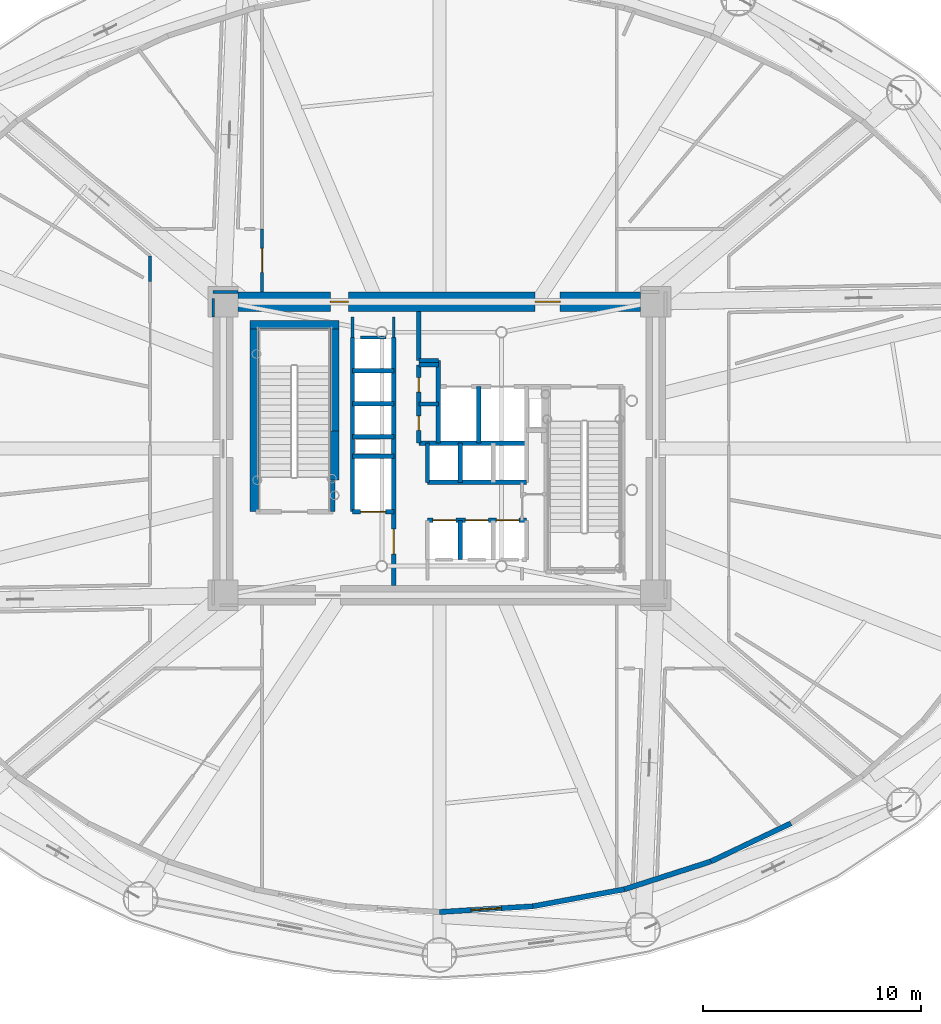
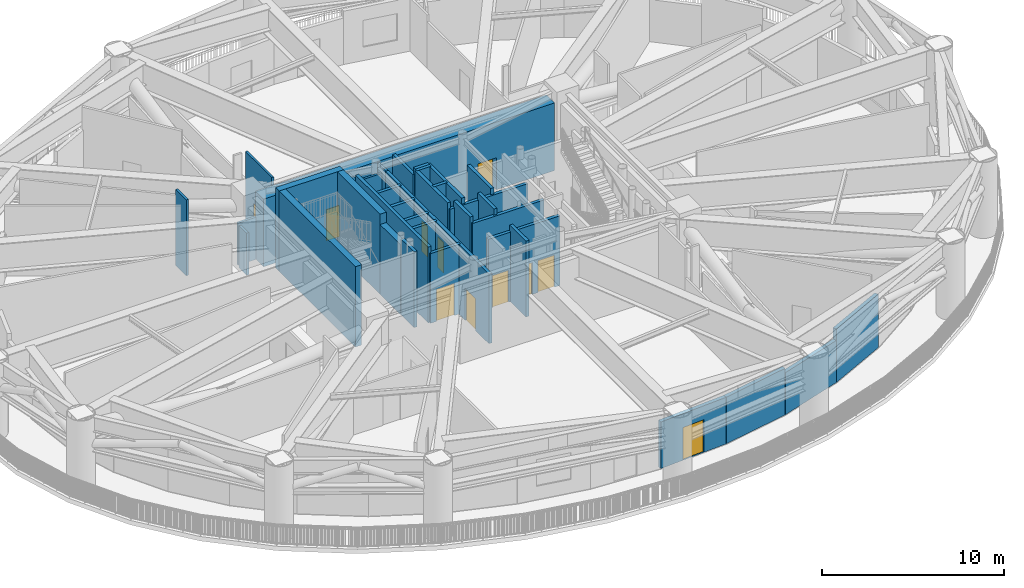
# One storey, part 12 of 22: 37 walls, 11 doors, 11 openings.
"""IFC4 building model written with IfcOpenShell, lengths in metres."""

from ifc_helpers import new_model, si_unit, direction, frame, frame_2d, origin, origin_2d, place, context, subcontext, project, spatial, rectangle, extrude, source, transform, mapped, material, layer, layer_set, type_object, element, fill, save


model = new_model("IFC4")

# Units and contexts
model_context = context("Model", 3, precision=1e-05, world=origin(), true_north=direction((0.0, 1.0)))
body_context = subcontext(model_context, "Body", "Model", "MODEL_VIEW")
ifc_project = project(units=[si_unit("LENGTHUNIT", "METRE"), si_unit("AREAUNIT", "SQUARE_METRE"), si_unit("VOLUMEUNIT", "CUBIC_METRE"), si_unit("PLANEANGLEUNIT", "RADIAN"), si_unit("MASSUNIT", "GRAM", prefix="KILO")], contexts=[model_context])

# Site, building, storey
site_placement = place(None, origin())
site = spatial("IfcSite", under=ifc_project, at=site_placement, CompositionType="ELEMENT")
building_placement = place(site_placement, origin())
building = spatial("IfcBuilding", under=site, at=building_placement, Name="Linh Dai School and Residence Tower", CompositionType="ELEMENT")
storey_placement = place(building_placement, frame((0.0, 0.0, 87.0)))
storey = spatial("IfcBuildingStorey", under=building, at=storey_placement, Name="L20", CompositionType="ELEMENT", Elevation=87.0)

# Wall, opening, door
ifc_material_1 = material(Name="Precast Concrete B45 (C35/45)", Category="concrete")
ifc_layer_1 = layer(ifc_material_1, 0.239990234375)
ifc_layer_set_1 = layer_set([ifc_layer_1], Name="Precast Concrete B45 (C35/45)")
wall_type_1 = type_object("IfcWallType", Name="EW-TC-240", PredefinedType="SOLIDWALL", material=ifc_layer_set_1)
wall_1_placement = place(storey_placement, frame((40.30224609375, 5.9580078125, 0.0), z_axis=(0.0, 0.0, 1.0), x_axis=(-0.998137585079, -0.061002961022, 0.0)))
wall_1 = element("IfcWall", 1, at=wall_1_placement, inside=storey, type_object=wall_type_1, Name="L20 Terracotta Exterior Wall 31", PredefinedType="SOLIDWALL", context=body_context, shape_type="SweptSolid", body=[
    extrude(rectangle(XDim=4.310302734375, YDim=0.239990234375, at=frame_2d((2.1552734375, 0.0))), origin(), (0.0, 0.0, 1.0), 3.135009765625),
])
opening_1_placement = place(wall_1_placement, frame((1.455078125, 0.0, 0.0)))
opening_1 = element("IfcOpeningElement", 2, at=opening_1_placement, cuts=wall_1, Name="Opening DD1", PredefinedType="OPENING", context=body_context, shape_type="SweptSolid", body=[
    extrude(rectangle(XDim=1.39990234375, YDim=2.199951171875, at=origin_2d()), frame((0.699951171875, 0.1298828125, 1.10009765625), z_axis=(0.0, -1.0, 0.0), x_axis=(1.0, 0.0, 0.0)), (0.0, 0.0, 1.0), 0.260009765625),
])
ifc_material_2 = material(Name="Glazed Aluminium Terrace Door", Category="aluminium")
door_type_1 = type_object("IfcDoorType", Name="DR-DECK-1400x2200", OperationType="NOTDEFINED", PredefinedType="DOOR", material=ifc_material_2)
shared_shape_1 = source(origin(), body_context, "Body", "SweptSolid", [
    extrude(rectangle(XDim=1.39990234375, YDim=2.199951171875, at=origin_2d()), frame((0.699951171875, 0.02490234375, 1.10009765625), z_axis=(0.0, -1.0, 0.0), x_axis=(1.0, 0.0, 0.0)), (0.0, 0.0, 1.0), 0.050048828125),
])
door_1_placement = place(opening_1_placement, origin())
door_1 = element("IfcDoor", 3, at=door_1_placement, inside=storey, type_object=door_type_1, Name="L20 Outdoor Terrace Access Door 31", OperationType="SINGLE_SWING_LEFT", OverallHeight=2.199951171875, OverallWidth=1.39990234375, PredefinedType="DOOR", context=body_context, shape_type="MappedRepresentation", body=[
    mapped(shared_shape_1, transform((0.0, 0.0, 0.0), x_axis=(1.0, 0.0, 0.0), y_axis=(0.0, 1.0, 0.0), z_axis=(0.0, 0.0, 1.0), scale=1.0)),
])
fill(opening_1, door_1)

# Walls
wall_2_placement = place(storey_placement, frame((44.498291015625, 6.739990234375, 0.0), z_axis=(0.0, 0.0, 1.0), x_axis=(-0.983074270231, -0.183207475857, 0.0)))
element("IfcWall", 4, at=wall_2_placement, inside=storey, type_object=wall_type_1, Name="L20 Terracotta Exterior Wall 32", PredefinedType="SOLIDWALL", context=body_context, shape_type="SweptSolid", body=[
    extrude(rectangle(XDim=4.268310546875, YDim=0.239990234375, at=frame_2d((2.13427734375, 0.0))), origin(), (0.0, 0.0, 1.0), 3.135009765625),
])
wall_3_placement = place(storey_placement, frame((48.484130859375, 8.02197265625, 0.0), z_axis=(0.0, 0.0, 1.0), x_axis=(-0.951971515403, -0.306186599742, 0.0)))
element("IfcWall", 5, at=wall_3_placement, inside=storey, type_object=wall_type_1, Name="L20 Terracotta Exterior Wall 33", PredefinedType="SOLIDWALL", context=body_context, shape_type="SweptSolid", body=[
    extrude(rectangle(XDim=4.18701171875, YDim=0.239990234375, at=frame_2d((2.093505859375, 0.0))), origin(), (0.0, 0.0, 1.0), 2.83203125),
])
wall_4_placement = place(storey_placement, frame((52.161376953125, 9.771728515625, 0.0), z_axis=(0.0, 0.0, 1.0), x_axis=(-0.902985702175, -0.429670596699, 0.0)))
element("IfcWall", 6, at=wall_4_placement, inside=storey, type_object=wall_type_1, Name="L20 Terracotta Exterior Wall 34", PredefinedType="SOLIDWALL", context=body_context, shape_type="SweptSolid", body=[
    extrude(rectangle(XDim=4.072265625, YDim=0.239990234375, at=frame_2d((2.0361328125, 0.0))), origin(), (0.0, 0.0, 1.0), 3.5849609375),
])

# Wall, opening, door
ifc_material_3 = material(Name="Autoclaved Aerated Concrete Blockwork", Category="masonry")
ifc_layer_2 = layer(ifc_material_3, 0.135009765625)
ifc_layer_set_2 = layer_set([ifc_layer_2], Name="Autoclaved Aerated Concrete Blockwork")
wall_type_2 = type_object("IfcWallType", Name="IW-CORR-135-EI90", PredefinedType="PARTITIONING", material=ifc_layer_set_2)
wall_5_placement = place(storey_placement, frame((27.85009765625, 34.199951171875, 0.0), z_axis=(0.0, 0.0, 1.0), x_axis=(0.0, 1.0, 0.0)))
wall_5 = element("IfcWall", 7, at=wall_5_placement, inside=storey, type_object=wall_type_2, Name="L20 Interior Partition Wall 014", PredefinedType="PARTITIONING", context=body_context, shape_type="SweptSolid", body=[
    extrude(rectangle(XDim=2.900146484375, YDim=0.135009765625, at=frame_2d((1.4501953125, 0.0))), origin(), (0.0, 0.0, 1.0), 5.10009765625),
])
opening_2_placement = place(wall_5_placement, frame((0.89990234375, 0.0, 0.0)))
opening_2 = element("IfcOpeningElement", 8, at=opening_2_placement, cuts=wall_5, Name="Opening D07", PredefinedType="OPENING", context=body_context, shape_type="SweptSolid", body=[
    extrude(rectangle(XDim=1.10009765625, YDim=2.14990234375, at=origin_2d()), frame((0.550048828125, 0.07763671875, 1.074951171875), z_axis=(0.0, -1.0, 0.0), x_axis=(1.0, 0.0, 0.0)), (0.0, 0.0, 1.0), 0.155029296875),
])
ifc_material_4 = material(Name="Fire-Rated Louvred Steel Plant Door", Category="steel")
door_type_2 = type_object("IfcDoorType", Name="DR-PLT-1100x2150-FD60S", OperationType="NOTDEFINED", PredefinedType="DOOR", material=ifc_material_4)
shared_shape_2 = source(origin(), body_context, "Body", "SweptSolid", [
    extrude(rectangle(XDim=1.10009765625, YDim=2.14990234375, at=origin_2d()), frame((0.550048828125, 0.02490234375, 1.074951171875), z_axis=(0.0, -1.0, 0.0), x_axis=(1.0, 0.0, 0.0)), (0.0, 0.0, 1.0), 0.050048828125),
])
door_2_placement = place(opening_2_placement, origin())
door_2 = element("IfcDoor", 9, at=door_2_placement, inside=storey, type_object=door_type_2, Name="L20 Pressurised Fire Refuge Area North Corridor Door", OperationType="SINGLE_SWING_RIGHT", OverallHeight=2.14990234375, OverallWidth=1.10009765625, PredefinedType="DOOR", context=body_context, shape_type="MappedRepresentation", body=[
    mapped(shared_shape_2, transform((0.0, 0.0, 0.0), x_axis=(1.0, 0.0, 0.0), y_axis=(0.0, 1.0, 0.0), z_axis=(0.0, 0.0, 1.0), scale=1.0)),
])
fill(opening_2, door_2)

# Walls
wall_6_placement = place(storey_placement, frame((32.360107421875, 32.10009765625, 0.0), z_axis=(0.0, 0.0, 1.0), x_axis=(1.0, 0.0, 0.0)))
element("IfcWall", 10, at=wall_6_placement, inside=storey, type_object=wall_type_2, Name="L20 Interior Partition Wall 063", PredefinedType="PARTITIONING", context=body_context, shape_type="SweptSolid", body=[
    extrude(rectangle(XDim=1.179931640625, YDim=0.135009765625, at=frame_2d((0.58984375, 0.0))), origin(), (0.0, 0.0, 1.0), 4.68505859375),
])
wall_7_placement = place(storey_placement, frame((32.0, 33.0400390625, 0.0), z_axis=(0.0, 0.0, 1.0), x_axis=(0.0, -1.0, 0.0)))
element("IfcWall", 11, at=wall_7_placement, inside=storey, type_object=wall_type_2, Name="L20 Interior Partition Wall 065", PredefinedType="PARTITIONING", context=body_context, shape_type="SweptSolid", body=[
    extrude(rectangle(XDim=0.929931640625, YDim=0.135009765625, at=frame_2d((0.46484375, 0.0))), origin(), (0.0, 0.0, 1.0), 4.635009765625),
])
wall_8_placement = place(storey_placement, frame((33.89990234375, 32.110107421875, 0.0), z_axis=(0.0, 0.0, 1.0), x_axis=(0.0, 1.0, 0.0)))
element("IfcWall", 12, at=wall_8_placement, inside=storey, type_object=wall_type_2, Name="L20 Interior Partition Wall 068", PredefinedType="PARTITIONING", context=body_context, shape_type="SweptSolid", body=[
    extrude(rectangle(XDim=0.929931640625, YDim=0.135009765625, at=frame_2d((0.46484375, 0.0))), origin(), (0.0, 0.0, 1.0), 4.68505859375),
])
wall_9_placement = place(storey_placement, frame((22.699951171875, 34.688720703125, 0.0), z_axis=(0.0, 0.0, 1.0), x_axis=(0.0, 1.0, 0.0)))
element("IfcWall", 13, at=wall_9_placement, inside=storey, type_object=wall_type_2, Name="L20 Interior Partition Wall 072", PredefinedType="PARTITIONING", context=body_context, shape_type="SweptSolid", body=[
    extrude(rectangle(XDim=1.167724609375, YDim=0.135009765625, at=frame_2d((0.583984375, 0.0))), origin(), (0.0, 0.0, 1.0), 5.10009765625),
])
wall_10_placement = place(storey_placement, frame((26.739990234375, 34.199951171875, 0.0), z_axis=(0.0, 0.0, 1.0), x_axis=(-1.0, 0.0, 0.0)))
element("IfcWall", 14, at=wall_10_placement, inside=storey, type_object=wall_type_2, Name="L20 Interior Partition Wall 076", PredefinedType="PARTITIONING", context=body_context, shape_type="SweptSolid", body=[
    extrude(rectangle(XDim=1.139892578125, YDim=0.135009765625, at=frame_2d((0.56982421875, 0.0))), origin(), (0.0, 0.0, 1.0), 2.83203125),
])
wall_11_placement = place(storey_placement, frame((25.60009765625, 33.892578125, 0.0), z_axis=(0.0, 0.0, 1.0), x_axis=(0.0, -1.0, 0.0)))
element("IfcWall", 15, at=wall_11_placement, inside=storey, type_object=wall_type_2, Name="L20 Interior Partition Wall 077", PredefinedType="PARTITIONING", context=body_context, shape_type="SweptSolid", body=[
    extrude(rectangle(XDim=0.83251953125, YDim=0.135009765625, at=frame_2d((0.416259765625, 0.0))), origin(), (0.0, 0.0, 1.0), 2.83203125),
])
ifc_material_5 = material(Name="Concrete B45 (C35/45)", Category="concrete")
ifc_layer_3 = layer(ifc_material_5, 0.199951171875)
ifc_layer_set_3 = layer_set([ifc_layer_3], Name="Concrete B45 (C35/45)")
wall_type_3 = type_object("IfcWallType", Name="IW-SHAFT-200-EI120", PredefinedType="PARTITIONING", material=ifc_layer_set_3)
wall_12_placement = place(storey_placement, frame((31.10009765625, 24.10009765625, 0.0), z_axis=(0.0, 0.0, 1.0), x_axis=(0.0, 1.0, 0.0)))
element("IfcWall", 16, at=wall_12_placement, inside=storey, type_object=wall_type_3, Name="L20 Interior Partition Wall 015", PredefinedType="PARTITIONING", context=body_context, shape_type="SweptSolid", body=[
    extrude(rectangle(XDim=1.43994140625, YDim=0.199951171875, at=frame_2d((0.719970703125, 0.0))), origin(), (0.0, 0.0, 1.0), 5.10009765625),
])
wall_13_placement = place(storey_placement, frame((32.0, 24.10009765625, 0.0), z_axis=(0.0, 0.0, 1.0), x_axis=(0.0, 1.0, 0.0)))
element("IfcWall", 17, at=wall_13_placement, inside=storey, type_object=wall_type_3, Name="L20 Interior Partition Wall 016", PredefinedType="PARTITIONING", context=body_context, shape_type="SweptSolid", body=[
    extrude(rectangle(XDim=8.0, YDim=0.199951171875, at=frame_2d((4.0, 0.0))), origin(), (0.0, 0.0, 1.0), 5.10009765625),
])

# Wall, opening, door
wall_14_placement = place(storey_placement, frame((32.0, 24.10009765625, 0.0), z_axis=(0.0, 0.0, 1.0), x_axis=(1.0, 0.0, 0.0)))
wall_14 = element("IfcWall", 18, at=wall_14_placement, inside=storey, type_object=wall_type_3, Name="L20 Interior Partition Wall 017", PredefinedType="PARTITIONING", context=body_context, shape_type="SweptSolid", body=[
    extrude(rectangle(XDim=1.89990234375, YDim=0.199951171875, at=frame_2d((0.949951171875, 0.0))), origin(), (0.0, 0.0, 1.0), 4.68505859375),
])
opening_3_placement = place(wall_14_placement, frame((0.375, 0.0, 0.0)))
opening_3 = element("IfcOpeningElement", 19, at=opening_3_placement, cuts=wall_14, Name="Opening LD-FF2", PredefinedType="OPENING", context=body_context, shape_type="SweptSolid", body=[
    extrude(rectangle(XDim=1.14990234375, YDim=2.14990234375, at=origin_2d()), frame((0.574951171875, 0.10986328125, 1.074951171875), z_axis=(0.0, -1.0, 0.0), x_axis=(1.0, 0.0, 0.0)), (0.0, 0.0, 1.0), 0.219970703125),
])
ifc_material_6 = material(Name="Fire-Rated Stainless Steel Firefighting Lift Door", Category="steel")
door_type_3 = type_object("IfcDoorType", Name="DR-LD-FF-1150x2150-FD120", OperationType="DOUBLE_DOOR_SLIDING", PredefinedType="USERDEFINED", material=ifc_material_6)
shared_shape_3 = source(origin(), body_context, "Body", "SweptSolid", [
    extrude(rectangle(XDim=1.14990234375, YDim=2.14990234375, at=origin_2d()), frame((0.574951171875, 0.02490234375, 1.074951171875), z_axis=(0.0, -1.0, 0.0), x_axis=(1.0, 0.0, 0.0)), (0.0, 0.0, 1.0), 0.050048828125),
])
door_3_placement = place(opening_3_placement, origin())
door_3 = element("IfcDoor", 20, at=door_3_placement, inside=storey, type_object=door_type_3, Name="L20 Lift FF2 Sliding Landing Door", ObjectType="LANDING DOOR", OperationType="DOUBLE_DOOR_SLIDING", OverallHeight=2.14990234375, OverallWidth=1.14990234375, PredefinedType="USERDEFINED", context=body_context, shape_type="MappedRepresentation", body=[
    mapped(shared_shape_3, transform((0.0, 0.0, 0.0), x_axis=(1.0, 0.0, 0.0), y_axis=(0.0, 1.0, 0.0), z_axis=(0.0, 0.0, 1.0), scale=1.0)),
])
fill(opening_3, door_3)

# Walls
for number, where, z_axis, x_axis, name in (
    (21, (32.0, 26.64990234375, 0.0), (0.0, 0.0, 1.0), (1.0, 0.0, 0.0), "L20 Interior Partition Wall 018"),
    (22, (32.0, 27.550048828125, 0.0), (0.0, 0.0, 1.0), (1.0, 0.0, 0.0), "L20 Interior Partition Wall 019"),
    (23, (32.0, 29.06005859375, 0.0), (0.0, 0.0, 1.0), (1.0, 0.0, 0.0), "L20 Interior Partition Wall 020"),
    (24, (32.0, 30.580078125, 0.0), (0.0, 0.0, 1.0), (1.0, 0.0, 0.0), "L20 Interior Partition Wall 021"),
):
    element("IfcWall", number, at=place(storey_placement, frame(where, z_axis=z_axis, x_axis=x_axis)), inside=storey, type_object=wall_type_3, Name=name, PredefinedType="PARTITIONING", context=body_context, shape_type="SweptSolid", body=[
        extrude(rectangle(XDim=1.89990234375, YDim=0.199951171875, at=frame_2d((0.949951171875, 0.0))), origin(), (0.0, 0.0, 1.0), 4.68505859375),
    ])

# Wall, opening, door
wall_15_placement = place(storey_placement, frame((33.89990234375, 20.699951171875, 0.0), z_axis=(0.0, 0.0, 1.0), x_axis=(0.0, 1.0, 0.0)))
wall_15 = element("IfcWall", 25, at=wall_15_placement, inside=storey, type_object=wall_type_3, Name="L20 Interior Partition Wall 022", PredefinedType="PARTITIONING", context=body_context, shape_type="SweptSolid", body=[
    extrude(rectangle(XDim=11.400146484375, YDim=0.199951171875, at=frame_2d((5.7001953125, 0.0))), origin(), (0.0, 0.0, 1.0), 4.68505859375),
])
opening_4_placement = place(wall_15_placement, frame((1.452392578125, 0.0, 0.0)))
opening_4 = element("IfcOpeningElement", 26, at=opening_4_placement, cuts=wall_15, Name="Opening D02", PredefinedType="OPENING", context=body_context, shape_type="SweptSolid", body=[
    extrude(rectangle(XDim=1.14990234375, YDim=2.14990234375, at=origin_2d()), frame((0.574951171875, 0.10986328125, 1.074951171875), z_axis=(0.0, -1.0, 0.0), x_axis=(1.0, 0.0, 0.0)), (0.0, 0.0, 1.0), 0.219970703125),
])
ifc_material_7 = material(Name="Fire-Rated Glazed Steel Lobby Door", Category="steel")
door_type_4 = type_object("IfcDoorType", Name="DR-LOBBY-1150x2150-FD90S", OperationType="NOTDEFINED", PredefinedType="DOOR", material=ifc_material_7)
shared_shape_4 = source(origin(), body_context, "Body", "SweptSolid", [
    extrude(rectangle(XDim=1.14990234375, YDim=2.14990234375, at=origin_2d()), frame((0.574951171875, 0.02490234375, 1.074951171875), z_axis=(0.0, -1.0, 0.0), x_axis=(1.0, 0.0, 0.0)), (0.0, 0.0, 1.0), 0.050048828125),
])
door_4_placement = place(opening_4_placement, origin())
door_4 = element("IfcDoor", 27, at=door_4_placement, inside=storey, type_object=door_type_4, Name="L20 Passenger Foyer Access Door", OperationType="SINGLE_SWING_RIGHT", OverallHeight=2.14990234375, OverallWidth=1.14990234375, PredefinedType="DOOR", context=body_context, shape_type="MappedRepresentation", body=[
    mapped(shared_shape_4, transform((0.0, 0.0, 0.0), x_axis=(1.0, 0.0, 0.0), y_axis=(0.0, 1.0, 0.0), z_axis=(0.0, 0.0, 1.0), scale=1.0)),
])
fill(opening_4, door_4)

# Wall, openings, doors
wall_16_placement = place(storey_placement, frame((35.050048828125, 27.25, 0.0), z_axis=(0.0, 0.0, 1.0), x_axis=(0.0, 1.0, 0.0)))
wall_16 = element("IfcWall", 28, at=wall_16_placement, inside=storey, type_object=wall_type_3, Name="L20 Interior Partition Wall 023", PredefinedType="PARTITIONING", context=body_context, shape_type="SweptSolid", body=[
    extrude(rectangle(XDim=3.60009765625, YDim=0.199951171875, at=frame_2d((1.800048828125, 0.0))), origin(), (0.0, 0.0, 1.0), 5.10009765625),
])
opening_5_placement = place(wall_16_placement, frame((0.590087890625, 0.0, 0.0)))
opening_5 = element("IfcOpeningElement", 29, at=opening_5_placement, cuts=wall_16, Name="Opening AD1", PredefinedType="OPENING", context=body_context, shape_type="SweptSolid", body=[
    extrude(rectangle(XDim=0.659912109375, YDim=2.050048828125, at=origin_2d()), frame((0.330078125, 0.10986328125, 1.02490234375), z_axis=(0.0, -1.0, 0.0), x_axis=(1.0, 0.0, 0.0)), (0.0, 0.0, 1.0), 0.219970703125),
])
opening_6_placement = place(wall_16_placement, frame((2.35009765625, 0.0, 0.0)))
opening_6 = element("IfcOpeningElement", 30, at=opening_6_placement, cuts=wall_16, Name="Opening AD1", PredefinedType="OPENING", context=body_context, shape_type="SweptSolid", body=[
    extrude(rectangle(XDim=0.659912109375, YDim=2.050048828125, at=origin_2d()), frame((0.330078125, 0.10986328125, 1.02490234375), z_axis=(0.0, -1.0, 0.0), x_axis=(1.0, 0.0, 0.0)), (0.0, 0.0, 1.0), 0.219970703125),
])
ifc_material_8 = material(Name="Fire-Rated Steel Riser Access Door", Category="steel")
door_type_5 = type_object("IfcDoorType", Name="DR-ACC-660x2050-FD90S", OperationType="NOTDEFINED", PredefinedType="USERDEFINED", material=ifc_material_8)
shared_shape_5 = source(origin(), body_context, "Body", "SweptSolid", [
    extrude(rectangle(XDim=0.659912109375, YDim=2.050048828125, at=origin_2d()), frame((0.330078125, 0.02490234375, 1.02490234375), z_axis=(0.0, -1.0, 0.0), x_axis=(1.0, 0.0, 0.0)), (0.0, 0.0, 1.0), 0.050048828125),
])
door_5_placement = place(opening_5_placement, origin())
door_5 = element("IfcDoor", 31, at=door_5_placement, inside=storey, type_object=door_type_5, Name="L20 Telecom and Data Riser Access Door", ObjectType="ACCESS DOOR", OperationType="SINGLE_SWING_LEFT", OverallHeight=2.050048828125, OverallWidth=0.659912109375, PredefinedType="USERDEFINED", context=body_context, shape_type="MappedRepresentation", body=[
    mapped(shared_shape_5, transform((0.0, 0.0, 0.0), x_axis=(1.0, 0.0, 0.0), y_axis=(0.0, 1.0, 0.0), z_axis=(0.0, 0.0, 1.0), scale=1.0)),
])
fill(opening_5, door_5)
door_6_placement = place(opening_6_placement, origin())
door_6 = element("IfcDoor", 32, at=door_6_placement, inside=storey, type_object=door_type_5, Name="L20 Mechanical and Plumbing Riser Access Door", ObjectType="ACCESS DOOR", OperationType="SINGLE_SWING_RIGHT", OverallHeight=2.050048828125, OverallWidth=0.659912109375, PredefinedType="USERDEFINED", context=body_context, shape_type="MappedRepresentation", body=[
    mapped(shared_shape_5, transform((0.0, 0.0, 0.0), x_axis=(1.0, 0.0, 0.0), y_axis=(0.0, 1.0, 0.0), z_axis=(0.0, 0.0, 1.0), scale=1.0)),
])
fill(opening_6, door_6)

# Walls
wall_17_placement = place(storey_placement, frame((35.050048828125, 27.25, 0.0), z_axis=(0.0, 0.0, 1.0), x_axis=(1.0, 0.0, 0.0)))
element("IfcWall", 33, at=wall_17_placement, inside=storey, type_object=wall_type_3, Name="L20 Interior Partition Wall 024", PredefinedType="PARTITIONING", context=body_context, shape_type="SweptSolid", body=[
    extrude(rectangle(XDim=4.949951171875, YDim=0.199951171875, at=frame_2d((2.47509765625, 0.0))), origin(), (0.0, 0.0, 1.0), 4.68505859375),
])
for number, where, z_axis, x_axis, name in (
    (34, (35.050048828125, 29.050048828125, 0.0), (0.0, 0.0, 1.0), (1.0, 0.0, 0.0), "L20 Interior Partition Wall 025"),
    (35, (35.050048828125, 30.85009765625, 0.0), (0.0, 0.0, 1.0), (1.0, 0.0, 0.0), "L20 Interior Partition Wall 026"),
):
    element("IfcWall", number, at=place(storey_placement, frame(where, z_axis=z_axis, x_axis=x_axis)), inside=storey, type_object=wall_type_3, Name=name, PredefinedType="PARTITIONING", context=body_context, shape_type="SweptSolid", body=[
        extrude(rectangle(XDim=0.89990234375, YDim=0.199951171875, at=frame_2d((0.449951171875, 0.0))), origin(), (0.0, 0.0, 1.0), 5.10009765625),
    ])
wall_18_placement = place(storey_placement, frame((35.050048828125, 31.050048828125, 0.0), z_axis=(0.0, 0.0, 1.0), x_axis=(0.0, 1.0, 0.0)))
element("IfcWall", 36, at=wall_18_placement, inside=storey, type_object=wall_type_3, Name="L20 Interior Partition Wall 027", PredefinedType="PARTITIONING", context=body_context, shape_type="SweptSolid", body=[
    extrude(rectangle(XDim=2.25, YDim=0.199951171875, at=frame_2d((1.125, 0.0))), origin(), (0.0, 0.0, 1.0), 4.68505859375),
])
wall_19_placement = place(storey_placement, frame((35.050048828125, 31.050048828125, 0.0), z_axis=(0.0, 0.0, 1.0), x_axis=(1.0, 0.0, 0.0)))
element("IfcWall", 37, at=wall_19_placement, inside=storey, type_object=wall_type_3, Name="L20 Interior Partition Wall 028", PredefinedType="PARTITIONING", context=body_context, shape_type="SweptSolid", body=[
    extrude(rectangle(XDim=0.89990234375, YDim=0.199951171875, at=frame_2d((0.449951171875, 0.0))), origin(), (0.0, 0.0, 1.0), 5.10009765625),
])

# Wall, openings, doors
wall_20_placement = place(storey_placement, frame((35.449951171875, 23.699951171875, 0.0), z_axis=(0.0, 0.0, 1.0), x_axis=(1.0, 0.0, 0.0)))
wall_20 = element("IfcWall", 38, at=wall_20_placement, inside=storey, type_object=wall_type_3, Name="L20 Interior Partition Wall 030", PredefinedType="PARTITIONING", context=body_context, shape_type="SweptSolid", body=[
    extrude(rectangle(XDim=4.550048828125, YDim=0.199951171875, at=frame_2d((2.27490234375, 0.0))), origin(), (0.0, 0.0, 1.0), 4.68505859375),
])
opening_7_placement = place(wall_20_placement, frame((0.25, 0.0, 0.0)))
opening_7 = element("IfcOpeningElement", 39, at=opening_7_placement, cuts=wall_20, Name="Opening LD-PL1", PredefinedType="OPENING", context=body_context, shape_type="SweptSolid", body=[
    extrude(rectangle(XDim=1.050048828125, YDim=2.14990234375, at=origin_2d()), frame((0.52490234375, 0.10986328125, 1.074951171875), z_axis=(0.0, -1.0, 0.0), x_axis=(1.0, 0.0, 0.0)), (0.0, 0.0, 1.0), 0.219970703125),
])
opening_8_placement = place(wall_20_placement, frame((1.7451171875, 0.0, 0.0)))
opening_8 = element("IfcOpeningElement", 40, at=opening_8_placement, cuts=wall_20, Name="Opening LD-PL2", PredefinedType="OPENING", context=body_context, shape_type="SweptSolid", body=[
    extrude(rectangle(XDim=1.050048828125, YDim=2.14990234375, at=origin_2d()), frame((0.52490234375, 0.10986328125, 1.074951171875), z_axis=(0.0, -1.0, 0.0), x_axis=(1.0, 0.0, 0.0)), (0.0, 0.0, 1.0), 0.219970703125),
])
opening_9_placement = place(wall_20_placement, frame((3.1650390625, 0.0, 0.0)))
opening_9 = element("IfcOpeningElement", 41, at=opening_9_placement, cuts=wall_20, Name="Opening LD-PL3", PredefinedType="OPENING", context=body_context, shape_type="SweptSolid", body=[
    extrude(rectangle(XDim=1.050048828125, YDim=2.14990234375, at=origin_2d()), frame((0.52490234375, 0.10986328125, 1.074951171875), z_axis=(0.0, -1.0, 0.0), x_axis=(1.0, 0.0, 0.0)), (0.0, 0.0, 1.0), 0.219970703125),
])
ifc_material_9 = material(Name="Brushed Stainless Steel Lift Landing Door", Category="steel")
door_type_6 = type_object("IfcDoorType", Name="DR-LD-PASS-1050x2150", OperationType="DOUBLE_DOOR_SLIDING", PredefinedType="USERDEFINED", material=ifc_material_9)
shared_shape_6 = source(origin(), body_context, "Body", "SweptSolid", [
    extrude(rectangle(XDim=1.050048828125, YDim=2.14990234375, at=origin_2d()), frame((0.52490234375, 0.02490234375, 1.074951171875), z_axis=(0.0, -1.0, 0.0), x_axis=(1.0, 0.0, 0.0)), (0.0, 0.0, 1.0), 0.050048828125),
])
door_7_placement = place(opening_7_placement, origin())
door_7 = element("IfcDoor", 42, at=door_7_placement, inside=storey, type_object=door_type_6, Name="L20 Lift PL1 Sliding Landing Door", ObjectType="LANDING DOOR", OperationType="DOUBLE_DOOR_SLIDING", OverallHeight=2.14990234375, OverallWidth=1.050048828125, PredefinedType="USERDEFINED", context=body_context, shape_type="MappedRepresentation", body=[
    mapped(shared_shape_6, transform((0.0, 0.0, 0.0), x_axis=(1.0, 0.0, 0.0), y_axis=(0.0, 1.0, 0.0), z_axis=(0.0, 0.0, 1.0), scale=1.0)),
])
fill(opening_7, door_7)
door_8_placement = place(opening_8_placement, origin())
door_8 = element("IfcDoor", 43, at=door_8_placement, inside=storey, type_object=door_type_6, Name="L20 Lift PL2 Sliding Landing Door", ObjectType="LANDING DOOR", OperationType="DOUBLE_DOOR_SLIDING", OverallHeight=2.14990234375, OverallWidth=1.050048828125, PredefinedType="USERDEFINED", context=body_context, shape_type="MappedRepresentation", body=[
    mapped(shared_shape_6, transform((0.0, 0.0, 0.0), x_axis=(1.0, 0.0, 0.0), y_axis=(0.0, 1.0, 0.0), z_axis=(0.0, 0.0, 1.0), scale=1.0)),
])
fill(opening_8, door_8)
door_9_placement = place(opening_9_placement, origin())
door_9 = element("IfcDoor", 44, at=door_9_placement, inside=storey, type_object=door_type_6, Name="L20 Lift PL3 Sliding Landing Door", ObjectType="LANDING DOOR", OperationType="DOUBLE_DOOR_SLIDING", OverallHeight=2.14990234375, OverallWidth=1.050048828125, PredefinedType="USERDEFINED", context=body_context, shape_type="MappedRepresentation", body=[
    mapped(shared_shape_6, transform((0.0, 0.0, 0.0), x_axis=(1.0, 0.0, 0.0), y_axis=(0.0, 1.0, 0.0), z_axis=(0.0, 0.0, 1.0), scale=1.0)),
])
fill(opening_9, door_9)

# Walls
wall_21_placement = place(storey_placement, frame((35.449951171875, 25.449951171875, 0.0), z_axis=(0.0, 0.0, 1.0), x_axis=(0.0, 1.0, 0.0)))
element("IfcWall", 45, at=wall_21_placement, inside=storey, type_object=wall_type_3, Name="L20 Interior Partition Wall 031", PredefinedType="PARTITIONING", context=body_context, shape_type="SweptSolid", body=[
    extrude(rectangle(XDim=1.800048828125, YDim=0.199951171875, at=frame_2d((0.89990234375, 0.0))), origin(), (0.0, 0.0, 1.0), 5.10009765625),
])
wall_22_placement = place(storey_placement, frame((35.449951171875, 25.449951171875, 0.0), z_axis=(0.0, 0.0, 1.0), x_axis=(1.0, 0.0, 0.0)))
element("IfcWall", 46, at=wall_22_placement, inside=storey, type_object=wall_type_3, Name="L20 Interior Partition Wall 032", PredefinedType="PARTITIONING", context=body_context, shape_type="SweptSolid", body=[
    extrude(rectangle(XDim=4.550048828125, YDim=0.199951171875, at=frame_2d((2.27490234375, 0.0))), origin(), (0.0, 0.0, 1.0), 4.68505859375),
])
wall_23_placement = place(storey_placement, frame((35.949951171875, 27.25, 0.0), z_axis=(0.0, 0.0, 1.0), x_axis=(0.0, 1.0, 0.0)))
element("IfcWall", 47, at=wall_23_placement, inside=storey, type_object=wall_type_3, Name="L20 Interior Partition Wall 033", PredefinedType="PARTITIONING", context=body_context, shape_type="SweptSolid", body=[
    extrude(rectangle(XDim=3.800048828125, YDim=0.199951171875, at=frame_2d((1.89990234375, 0.0))), origin(), (0.0, 0.0, 1.0), 5.10009765625),
])
for number, where, z_axis, x_axis, name in (
    (48, (36.9599609375, 21.89990234375, 0.0), (0.0, 0.0, 1.0), (0.0, 1.0, 0.0), "L20 Interior Partition Wall 035"),
    (49, (36.9599609375, 25.449951171875, 0.0), (0.0, 0.0, 1.0), (0.0, 1.0, 0.0), "L20 Interior Partition Wall 036"),
):
    element("IfcWall", number, at=place(storey_placement, frame(where, z_axis=z_axis, x_axis=x_axis)), inside=storey, type_object=wall_type_3, Name=name, PredefinedType="PARTITIONING", context=body_context, shape_type="SweptSolid", body=[
        extrude(rectangle(XDim=1.800048828125, YDim=0.199951171875, at=frame_2d((0.89990234375, 0.0))), origin(), (0.0, 0.0, 1.0), 5.10009765625),
    ])
wall_24_placement = place(storey_placement, frame((37.800048828125, 27.25, 0.0), z_axis=(0.0, 0.0, 1.0), x_axis=(0.0, 1.0, 0.0)))
element("IfcWall", 50, at=wall_24_placement, inside=storey, type_object=wall_type_3, Name="L20 Interior Partition Wall 037", PredefinedType="PARTITIONING", context=body_context, shape_type="SweptSolid", body=[
    extrude(rectangle(XDim=2.60009765625, YDim=0.199951171875, at=frame_2d((1.300048828125, 0.0))), origin(), (0.0, 0.0, 1.0), 5.10009765625),
])
ifc_layer_4 = layer(ifc_material_5, 0.39990234375)
ifc_layer_set_4 = layer_set([ifc_layer_4], Name="Concrete B45 (C35/45)")
wall_type_4 = type_object("IfcWallType", Name="WL-CORE400", PredefinedType="SHEAR", material=ifc_layer_set_4)
wall_25_placement = place(storey_placement, frame((27.47998046875, 24.10009765625, 0.0), z_axis=(0.0, 0.0, 1.0), x_axis=(0.0, 1.0, 0.0)))
element("IfcWall", 51, at=wall_25_placement, inside=storey, type_object=wall_type_4, Name="L20 Core Stair ST1 Bearing Wall W", PredefinedType="SHEAR", context=body_context, shape_type="SweptSolid", body=[
    extrude(rectangle(XDim=8.599853515625, YDim=0.39990234375, at=frame_2d((4.2998046875, 0.0))), origin(), (0.0, 0.0, 1.0), 5.39990234375),
])
wall_26_placement = place(storey_placement, frame((31.179931640625, 27.800048828125, 0.0), z_axis=(0.0, 0.0, 1.0), x_axis=(0.0, 1.0, 0.0)))
element("IfcWall", 52, at=wall_26_placement, inside=storey, type_object=wall_type_4, Name="L20 Core Stair ST1 Bearing Wall E", PredefinedType="SHEAR", context=body_context, shape_type="SweptSolid", body=[
    extrude(rectangle(XDim=4.89990234375, YDim=0.39990234375, at=frame_2d((2.449951171875, 0.0))), origin(), (0.0, 0.0, 1.0), 5.39990234375),
])
wall_27_placement = place(storey_placement, frame((27.280029296875, 32.699951171875, 0.0), z_axis=(0.0, 0.0, 1.0), x_axis=(1.0, 0.0, 0.0)))
element("IfcWall", 53, at=wall_27_placement, inside=storey, type_object=wall_type_4, Name="L20 Core Stair ST1 Bearing Wall N", PredefinedType="SHEAR", context=body_context, shape_type="SweptSolid", body=[
    extrude(rectangle(XDim=4.099853515625, YDim=0.39990234375, at=frame_2d((2.0498046875, 0.0))), origin(), (0.0, 0.0, 1.0), 5.39990234375),
])
wall_28_placement = place(storey_placement, frame((31.179931640625, 25.550048828125, 0.0), z_axis=(0.0, 0.0, 1.0), x_axis=(0.0, 1.0, 0.0)))
element("IfcWall", 54, at=wall_28_placement, inside=storey, type_object=wall_type_4, Name="L20 Internal Core Shear Wall IW", PredefinedType="SHEAR", context=body_context, shape_type="SweptSolid", body=[
    extrude(rectangle(XDim=2.25, YDim=0.39990234375, at=frame_2d((1.125, 0.0))), origin(), (0.0, 0.0, 1.0), 4.699951171875),
])

# Wall, openings, doors
ifc_material_10 = material(Name="Concrete B60 (C50/60)", Category="concrete")
ifc_layer_5 = layer(ifc_material_10, 0.89990234375)
ifc_layer_set_5 = layer_set([ifc_layer_5], Name="Concrete B60 (C50/60)")
wall_type_5 = type_object("IfcWallType", Name="WL-CORE900", PredefinedType="SHEAR", material=ifc_layer_set_5)
wall_29_placement = place(storey_placement, frame((26.75, 33.75, 0.0), z_axis=(0.0, 0.0, 1.0), x_axis=(1.0, 0.0, 0.0)))
wall_29 = element("IfcWall", 55, at=wall_29_placement, inside=storey, type_object=wall_type_5, Name="L20 Central Core Shear Wall N", PredefinedType="SHEAR", context=body_context, shape_type="SweptSolid", body=[
    extrude(rectangle(XDim=18.5, YDim=0.89990234375, at=frame_2d((9.25, 0.0))), origin(), (0.0, 0.0, 1.0), 4.550048828125),
])
opening_10_placement = place(wall_29_placement, frame((4.239990234375, 0.0, 0.0)))
opening_10 = element("IfcOpeningElement", 56, at=opening_10_placement, cuts=wall_29, Name="Opening D06", PredefinedType="OPENING", context=body_context, shape_type="SweptSolid", body=[
    extrude(rectangle(XDim=0.820068359375, YDim=2.10009765625, at=origin_2d()), frame((0.41015625, 0.4599609375, 1.050048828125), z_axis=(0.0, -1.0, 0.0), x_axis=(1.0, 0.0, 0.0)), (0.0, 0.0, 1.0), 0.919921875),
])
opening_11_placement = place(wall_29_placement, frame((13.64990234375, 0.0, 0.0)))
opening_11 = element("IfcOpeningElement", 57, at=opening_11_placement, cuts=wall_29, Name="Opening D02", PredefinedType="OPENING", context=body_context, shape_type="SweptSolid", body=[
    extrude(rectangle(XDim=1.14990234375, YDim=2.14990234375, at=origin_2d()), frame((0.574951171875, 0.4599609375, 1.074951171875), z_axis=(0.0, -1.0, 0.0), x_axis=(1.0, 0.0, 0.0)), (0.0, 0.0, 1.0), 0.919921875),
])
ifc_material_11 = material(Name="Moisture-Resistant Timber Bathroom Door", Category="wood")
door_type_7 = type_object("IfcDoorType", Name="DR-WET-820x2100", OperationType="NOTDEFINED", PredefinedType="DOOR", material=ifc_material_11)
shared_shape_7 = source(origin(), body_context, "Body", "SweptSolid", [
    extrude(rectangle(XDim=0.820068359375, YDim=2.10009765625, at=origin_2d()), frame((0.41015625, 0.02490234375, 1.050048828125), z_axis=(0.0, -1.0, 0.0), x_axis=(1.0, 0.0, 0.0)), (0.0, 0.0, 1.0), 0.050048828125),
])
door_10_placement = place(opening_10_placement, origin())
door_10 = element("IfcDoor", 58, at=door_10_placement, inside=storey, type_object=door_type_7, Name="L20 Refuge Lobby Access Door", OperationType="SINGLE_SWING_LEFT", OverallHeight=2.10009765625, OverallWidth=0.820068359375, PredefinedType="DOOR", context=body_context, shape_type="MappedRepresentation", body=[
    mapped(shared_shape_7, transform((0.0, 0.0, 0.0), x_axis=(1.0, 0.0, 0.0), y_axis=(0.0, 1.0, 0.0), z_axis=(0.0, 0.0, 1.0), scale=1.0)),
])
fill(opening_10, door_10)
door_11_placement = place(opening_11_placement, origin())
door_11 = element("IfcDoor", 59, at=door_11_placement, inside=storey, type_object=door_type_4, Name="L20 Refuge Lobby Access Door", OperationType="SINGLE_SWING_RIGHT", OverallHeight=2.14990234375, OverallWidth=1.14990234375, PredefinedType="DOOR", context=body_context, shape_type="MappedRepresentation", body=[
    mapped(shared_shape_4, transform((0.0, 0.0, 0.0), x_axis=(1.0, 0.0, 0.0), y_axis=(0.0, 1.0, 0.0), z_axis=(0.0, 0.0, 1.0), scale=1.0)),
])
fill(opening_11, door_11)

save(model, "model.ifc")
